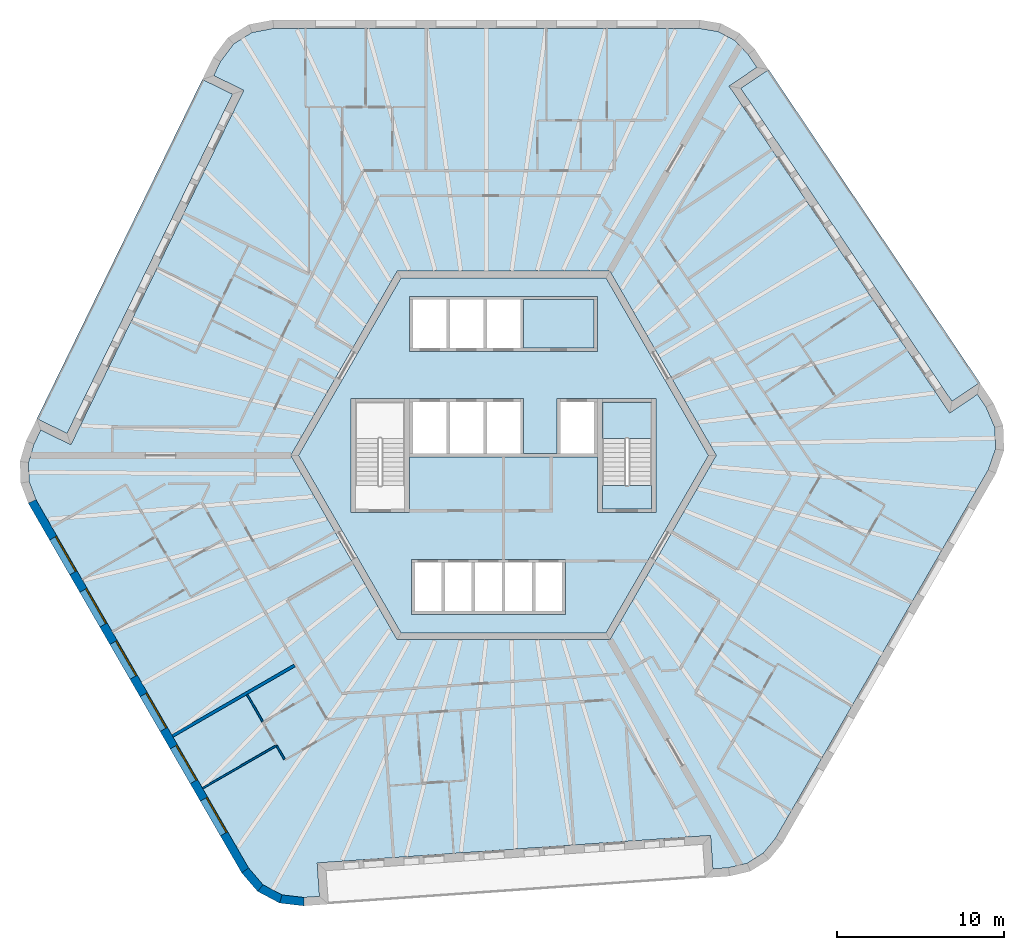
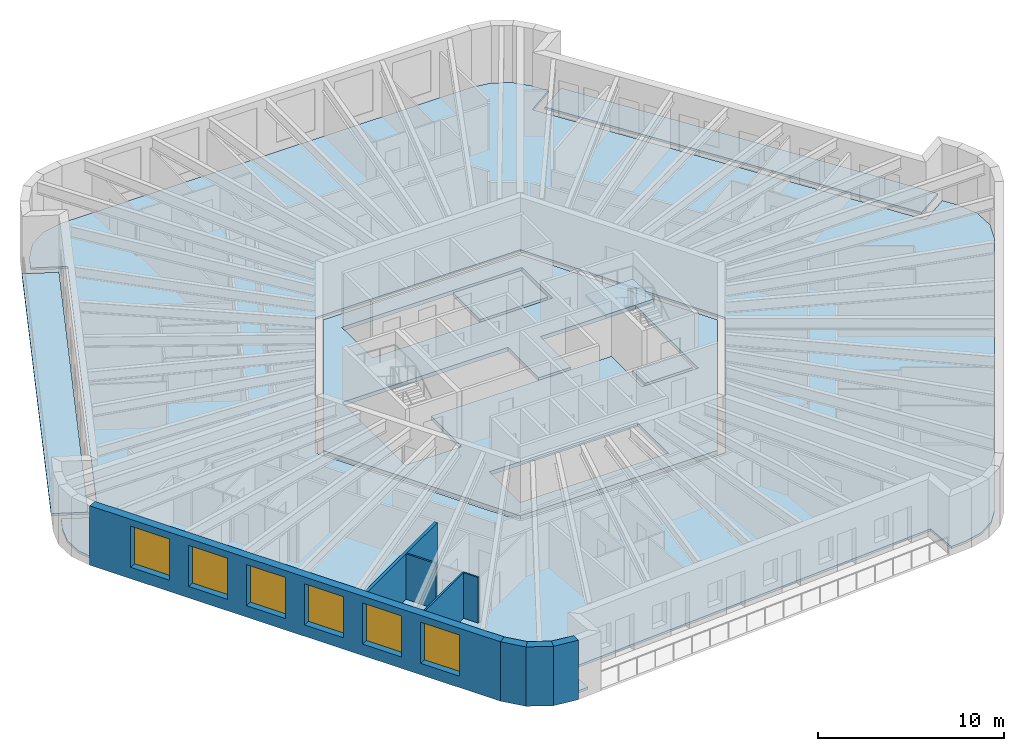
# One storey, part 2 of 12: 8 walls, 7 slabs, 6 windows, 6 openings, 1 element without a shape of its own.
"""IFC4 building model written with IfcOpenShell, lengths in metres."""

import ifcopenshell
import ifcopenshell.guid

model = None  # the IFC model being written
_history = None  # IfcOwnerHistory: only IFC2X3 demands one
_inside = {}  # id of a spatial element -> (the spatial element, [elements in it])
_under = {}  # id of a project, library or spatial element -> (it, [spatial elements below it])
_declared = {}  # id of a project -> (the project, [libraries it declares])
_typed = {}  # id of a type object -> (the type object, [elements of that type])
_made_of = {}  # id of a material, layer set ... -> (it, [elements and type objects made of it])


def new_model(schema):
    """Start an empty IFC model of exactly this schema.

    Asked for "IFC4X3", IfcOpenShell would pick the latest addendum, in which some entities
    have other attributes; the version numbers below select the first issue.
    IFC2X3 requires an IfcOwnerHistory on every rooted entity: one is made here for all.
    """
    global model, _history
    if schema == "IFC4X3":
        model = ifcopenshell.file(schema_version=(4, 3, 0, 0))
    else:
        model = ifcopenshell.file(schema=schema)
    _inside.clear()
    _under.clear()
    _declared.clear()
    _typed.clear()
    _made_of.clear()
    _history = None
    if model.schema == "IFC2X3":
        org = make("IfcOrganization", Name="unknown")
        user = make(
            "IfcPersonAndOrganization",
            ThePerson=make("IfcPerson", FamilyName="unknown"),
            TheOrganization=org,
        )
        app = make(
            "IfcApplication",
            ApplicationDeveloper=org,
            Version="unknown",
            ApplicationFullName="unknown",
            ApplicationIdentifier="unknown",
        )
        _history = make(
            "IfcOwnerHistory",
            OwningUser=user,
            OwningApplication=app,
            ChangeAction="ADDED",
            CreationDate=0,
        )
    return model


def make(cls, **values):
    """One entity of the class cls with the attributes given. An attribute that is None is left unset."""
    return model.create_entity(
        cls, **{name: value for name, value in values.items() if value is not None}
    )


def rooted(cls, **values):
    """An entity with a GlobalId (a new one), such as an element, a storey or a relation."""
    return make(cls, GlobalId=ifcopenshell.guid.new(), OwnerHistory=_history, **values)


def si_unit(unit_type, name, prefix=None):
    """IfcSIUnit, for example si_unit("LENGTHUNIT", "METRE", prefix="MILLI")."""
    return make("IfcSIUnit", UnitType=unit_type, Prefix=prefix, Name=name)


def assignment(units):
    """IfcUnitAssignment: the units of a project."""
    return None if units is None else make("IfcUnitAssignment", Units=units)


def point(xyz):
    """IfcCartesianPoint."""
    return None if xyz is None else make("IfcCartesianPoint", Coordinates=xyz)


def direction(xyz):
    """IfcDirection."""
    return None if xyz is None else make("IfcDirection", DirectionRatios=xyz)


def frame(location, z_axis=None, x_axis=None):
    """IfcAxis2Placement3D, a coordinate frame: its origin and axes. An axis left out is left unset."""
    return make(
        "IfcAxis2Placement3D",
        Location=point(location),
        Axis=direction(z_axis),
        RefDirection=direction(x_axis),
    )


def frame_2d(location, x_axis=None):
    """IfcAxis2Placement2D, a coordinate frame in the plane: its origin and x axis."""
    return make(
        "IfcAxis2Placement2D", Location=point(location), RefDirection=direction(x_axis)
    )


def origin():
    """The frame at (0, 0, 0) with its axes left unset."""
    return frame((0.0, 0.0, 0.0))


def place(relative_to, where):
    """IfcLocalPlacement: puts the frame where relative to a parent placement (None: the world)."""
    return make(
        "IfcLocalPlacement", PlacementRelTo=relative_to, RelativePlacement=where
    )


def context(
    kind, dimensions, precision=None, world=None, true_north=None, identifier=None
):
    """IfcGeometricRepresentationContext, for example the 3D "Model" context."""
    return make(
        "IfcGeometricRepresentationContext",
        ContextIdentifier=identifier,
        ContextType=kind,
        CoordinateSpaceDimension=dimensions,
        Precision=precision,
        WorldCoordinateSystem=world,
        TrueNorth=true_north,
    )


def subcontext(parent, identifier, kind, view, scale=None):
    """IfcGeometricRepresentationSubContext, for example "Body" below "Model"."""
    return make(
        "IfcGeometricRepresentationSubContext",
        ContextIdentifier=identifier,
        ContextType=kind,
        ParentContext=parent,
        TargetScale=scale,
        TargetView=view,
    )


def project(units=None, contexts=None):
    """IfcProject with its units and contexts."""
    return rooted(
        "IfcProject",
        Name="project",
        RepresentationContexts=contexts,
        UnitsInContext=assignment(units),
    )


def spatial(cls, under=None, at=None, **own):
    """A site, building, storey or space (cls), placed at a placement, below another one or the project."""
    s = rooted(cls, ObjectPlacement=at, **own)
    if under is not None:
        _under.setdefault(under.id(), (under, []))[1].append(s)
    return s


def polyline(points):
    """IfcPolyline through the points."""
    return make("IfcPolyline", Points=[point(p) for p in points])


def profile(cls, at=None, kind="AREA", **sizes):
    """A parametric profile (cls). Its sizes go by their IFC names, for example OverallWidth=200.0."""
    return make(cls, ProfileType=kind, Position=at, **sizes)


def rectangle(**sizes):
    """IfcRectangleProfileDef."""
    return profile("IfcRectangleProfileDef", **sizes)


def outline(outer, holes=None, kind="AREA"):
    """IfcArbitraryClosedProfileDef: a profile drawn as a closed curve; with holes, ...WithVoids."""
    if holes is None:
        return make("IfcArbitraryClosedProfileDef", ProfileType=kind, OuterCurve=outer)
    return make(
        "IfcArbitraryProfileDefWithVoids",
        ProfileType=kind,
        OuterCurve=outer,
        InnerCurves=holes,
    )


def extrude(swept, where, along, depth):
    """IfcExtrudedAreaSolid: the profile swept, set in the frame where, extruded along a direction by depth."""
    return make(
        "IfcExtrudedAreaSolid",
        SweptArea=swept,
        Position=where,
        ExtrudedDirection=direction(along),
        Depth=depth,
    )


def shape(context_of_items, identifier, shape_type, items):
    """IfcShapeRepresentation: the items that make up one representation, for example the "Body"."""
    return make(
        "IfcShapeRepresentation",
        ContextOfItems=context_of_items,
        RepresentationIdentifier=identifier,
        RepresentationType=shape_type,
        Items=items,
    )


def material(Name=None, Category=None):
    """IfcMaterial."""
    return make("IfcMaterial", Name=Name, Category=Category)


def layer(
    of_material, thickness, ventilated=None, Name=None, Category=None, Priority=None
):
    """IfcMaterialLayer: one layer of a wall or slab, of a material (None: an air gap)."""
    return make(
        "IfcMaterialLayer",
        Material=of_material,
        LayerThickness=thickness,
        IsVentilated=ventilated,
        Name=Name,
        Category=Category,
        Priority=Priority,
    )


def layer_set(layers, Name=None):
    """IfcMaterialLayerSet."""
    return make("IfcMaterialLayerSet", MaterialLayers=layers, LayerSetName=Name)


def made_of(thing, what):
    """Note that an element or type object is made of a material, layer set ...; save() writes the relation."""
    if what is not None:
        _made_of.setdefault(what.id(), (what, []))[1].append(thing)
    return thing


def type_object(cls, material=None, **own):
    """A type object (cls), such as IfcWallType, which elements share."""
    return made_of(rooted(cls, **own), material)


def element(
    cls,
    number,
    at=None,
    inside=None,
    cuts=None,
    type_object=None,
    material=None,
    context=None,
    identifier="Body",
    shape_type=None,
    held_by="IfcProductDefinitionShape",
    body=None,
    shapes=None,
    **own,
):
    """One element of the class cls, such as IfcWall. Its Tag is "e" and its number.

    at: its placement. inside: the storey or other place that contains it. cuts: it is an
    opening in that element (IfcRelVoidsElement). A single representation is given by context,
    identifier, shape_type and body (its items); several are given by shapes. held_by: the class
    of the entity that holds the representations. save() writes the other relations.
    """
    e = rooted(cls, Tag="e%d" % number, ObjectPlacement=at, **own)
    if body is not None:
        shapes = [shape(context, identifier, shape_type, body)]
    if shapes is not None:
        e.Representation = make(held_by, Representations=shapes)
    if inside is not None:
        _inside.setdefault(inside.id(), (inside, []))[1].append(e)
    if cuts is not None:
        rooted(
            "IfcRelVoidsElement", RelatingBuildingElement=cuts, RelatedOpeningElement=e
        )
    if type_object is not None:
        _typed.setdefault(type_object.id(), (type_object, []))[1].append(e)
    return made_of(e, material)


def fill(opening, filler):
    """IfcRelFillsElement: the door or window that sits in an opening."""
    return rooted(
        "IfcRelFillsElement",
        RelatingOpeningElement=opening,
        RelatedBuildingElement=filler,
    )


def aggregate(whole, parts):
    """IfcRelAggregates: a whole, such as a stair, and the parts it consists of."""
    return rooted("IfcRelAggregates", RelatingObject=whole, RelatedObjects=parts)


def save(model, path):
    """Write the relations noted so far, then the file.

    IfcRelAggregates (storeys below a building ...), IfcRelContainedInSpatialStructure (elements
    in a storey), IfcRelDefinesByType, IfcRelAssociatesMaterial and IfcRelDeclares: one each for
    every whole, place, type object, material and project.
    """
    for whole, parts in _under.values():
        aggregate(whole, parts)
    for where, things in _inside.values():
        rooted(
            "IfcRelContainedInSpatialStructure",
            RelatedElements=things,
            RelatingStructure=where,
        )
    for kind, things in _typed.values():
        rooted("IfcRelDefinesByType", RelatedObjects=things, RelatingType=kind)
    for what, things in _made_of.values():
        rooted("IfcRelAssociatesMaterial", RelatedObjects=things, RelatingMaterial=what)
    for by, libraries in _declared.values():
        rooted("IfcRelDeclares", RelatingContext=by, RelatedDefinitions=libraries)
    model.write(path)


model = new_model("IFC4")

# Units and contexts
model_context = context("Model", 3, precision=1e-05, world=origin(), true_north=direction((0.0, 1.0)))
body_context = subcontext(model_context, "Body", "Model", "MODEL_VIEW")
ifc_project = project(units=[si_unit("LENGTHUNIT", "METRE"), si_unit("AREAUNIT", "SQUARE_METRE"), si_unit("VOLUMEUNIT", "CUBIC_METRE"), si_unit("PLANEANGLEUNIT", "RADIAN"), si_unit("MASSUNIT", "GRAM", prefix="KILO")], contexts=[model_context])

# Site, building, storey
site_placement = place(None, origin())
site = spatial("IfcSite", under=ifc_project, at=site_placement, CompositionType="ELEMENT")
building_placement = place(site_placement, origin())
building = spatial("IfcBuilding", under=site, at=building_placement, Name="Tarnside Tower", CompositionType="ELEMENT")
storey_placement = place(building_placement, frame((0.0, 0.0, 306.89990234375)))
storey = spatial("IfcBuildingStorey", under=building, at=storey_placement, Name="L74", CompositionType="ELEMENT", Elevation=306.89990234375)

# Slabs
ifc_material_1 = material(Name="Concrete C35/45", Category="concrete")
ifc_layer_1 = layer(ifc_material_1, 0.14990234375)
ifc_layer_set_1 = layer_set([ifc_layer_1], Name="Composite floor slab 150")
slab_type_1 = type_object("IfcSlabType", Name="Composite floor slab 150", PredefinedType="FLOOR", material=ifc_layer_set_1)
slab_1_placement = place(storey_placement, frame((0.0, 0.0, -0.14990234375)))
element("IfcSlab", 1, at=slab_1_placement, inside=storey, type_object=slab_type_1, Name="Floor slab L74", PredefinedType="FLOOR", context=body_context, shape_type="SweptSolid", body=[
    extrude(outline(polyline([(12.81689453125, 25.312744140625), (13.818115234375, 24.7802734375), (14.610595703125, 23.940185546875), (15.130615234375, 23.169677734375), (13.472412109375, 22.05126953125), (26.638427734375, 2.53173828125), (28.29638671875, 3.650146484375), (28.814697265625, 2.8818359375), (29.336669921875, 1.671875), (29.3818359375, 0.378662109375), (28.945556640625, -0.864990234375), (16.2451171875, -22.86279296875), (15.51318359375, -23.756103515625), (14.55126953125, -24.35693359375), (13.427490234375, -24.623291015625), (12.500244140625, -24.688232421875), (12.360595703125, -22.693115234375), (-11.126708984375, -24.33544921875), (-10.9873046875, -26.33056640625), (-11.91162109375, -26.395263671875), (-13.220458984375, -26.2421875), (-14.363037109375, -25.634765625), (-15.2216796875, -24.635009765625), (-27.922119140625, -2.63720703125), (-28.329833984375, -1.556640625), (-28.369384765625, -0.42333984375), (-28.0380859375, 0.68310546875), (-27.630615234375, 1.5185546875), (-25.8330078125, 0.641845703125), (-15.51171875, 21.8037109375), (-17.309326171875, 22.680419921875), (-16.903076171875, 23.51318359375), (-16.1162109375, 24.5703125), (-15.018798828125, 25.256103515625), (-13.723876953125, 25.5), (11.67724609375, 25.5), (12.81689453125, 25.312744140625)]), holes=[polyline([(-12.70166015625, 0.0), (-6.350830078125, -11.0), (6.350830078125, -11.0), (12.70166015625, 0.0), (6.350830078125, 11.0), (-6.350830078125, 11.0), (-12.70166015625, 0.0)])]), origin(), (0.0, 0.0, 1.0), 0.14990234375),
])
ifc_material_2 = material(Name="Concrete C40/50", Category="concrete")
ifc_layer_2 = layer(ifc_material_2, 0.25)
ifc_layer_set_2 = layer_set([ifc_layer_2], Name="Core slab C40/50")
slab_type_2 = type_object("IfcSlabType", Name="Core slab C40/50", PredefinedType="FLOOR", material=ifc_layer_set_2)
slab_2_placement = place(storey_placement, frame((0.0, 0.0, -0.25)))
element("IfcSlab", 2, at=slab_2_placement, inside=storey, type_object=slab_type_2, Name="L74 core floor slab 1", PredefinedType="FLOOR", context=body_context, shape_type="SweptSolid", body=[
    extrude(outline(polyline([(6.119873046875, 10.60009765625), (12.23974609375, 0.0), (6.119873046875, -10.60009765625), (-6.119873046875, -10.60009765625), (-12.23974609375, 0.0), (-6.119873046875, 10.60009765625), (6.119873046875, 10.60009765625)]), holes=[polyline([(-5.5, -9.5), (3.699951171875, -9.5), (3.699951171875, -9.300048828125), (3.699951171875, -6.39990234375), (3.699951171875, -6.199951171875), (-5.5, -6.199951171875), (-5.5, -6.39990234375), (-5.5, -9.300048828125), (-5.5, -9.5)]), polyline([(-5.60009765625, -3.39990234375), (-5.60009765625, -0.10009765625), (5.60009765625, -0.10009765625), (5.60009765625, -3.39990234375), (5.89990234375, -3.39990234375), (8.85009765625, -3.39990234375), (9.10009765625, -3.39990234375), (9.10009765625, 3.39990234375), (8.85009765625, 3.39990234375), (5.89990234375, 3.39990234375), (5.60009765625, 3.39990234375), (3.39990234375, 3.39990234375), (3.199951171875, 3.39990234375), (3.199951171875, 0.10009765625), (1.199951171875, 0.10009765625), (1.199951171875, 3.39990234375), (1.0, 3.39990234375), (-5.60009765625, 3.39990234375), (-5.89990234375, 3.39990234375), (-8.85009765625, 3.39990234375), (-9.10009765625, 3.39990234375), (-9.10009765625, -3.39990234375), (-8.85009765625, -3.39990234375), (-5.89990234375, -3.39990234375), (-5.60009765625, -3.39990234375)]), polyline([(-5.60009765625, 6.199951171875), (5.60009765625, 6.199951171875), (5.60009765625, 6.39990234375), (5.60009765625, 9.300048828125), (5.60009765625, 9.5), (-5.60009765625, 9.5), (-5.60009765625, 9.300048828125), (-5.60009765625, 6.39990234375), (-5.60009765625, 6.199951171875)])]), origin(), (0.0, 0.0, 1.0), 0.25),
])
slab_3_placement = place(storey_placement, frame((0.0, 0.0, -0.25)))
element("IfcSlab", 3, at=slab_3_placement, inside=storey, type_object=slab_type_2, Name="L74 core floor slab 3", PredefinedType="FLOOR", context=body_context, shape_type="SweptSolid", body=[
    extrude(outline(polyline([(5.89990234375, -1.800048828125), (8.85009765625, -1.800048828125), (8.85009765625, -3.199951171875), (5.89990234375, -3.199951171875), (5.89990234375, -1.800048828125)])), origin(), (0.0, 0.0, 1.0), 0.25),
])
slab_4_placement = place(storey_placement, frame((0.0, 0.0, -0.25)))
element("IfcSlab", 4, at=slab_4_placement, inside=storey, type_object=slab_type_2, Name="L74 core floor slab 4", PredefinedType="FLOOR", context=body_context, shape_type="SweptSolid", body=[
    extrude(outline(polyline([(5.39990234375, 6.39990234375), (1.199951171875, 6.39990234375), (1.199951171875, 9.300048828125), (5.39990234375, 9.300048828125), (5.39990234375, 6.39990234375)])), origin(), (0.0, 0.0, 1.0), 0.25),
])
ifc_material_3 = material(Name="Timber decking", Category="wood")
ifc_layer_3 = layer(ifc_material_3, 0.0400390625)
ifc_material_4 = material(Name="Concrete C60/75 precast", Category="concrete")
ifc_layer_4 = layer(ifc_material_4, 0.110107421875)
ifc_layer_set_3 = layer_set([ifc_layer_3, ifc_layer_4], Name="Loggia deck 150")
slab_type_3 = type_object("IfcSlabType", Name="Loggia deck 150", PredefinedType="FLOOR", material=ifc_layer_set_3)
slab_5_placement = place(storey_placement, frame((0.0, 0.0, -0.14990234375)))
element("IfcSlab", 5, at=slab_5_placement, inside=storey, type_object=slab_type_3, Name="Loggia deck L74 F2", PredefinedType="FLOOR", context=body_context, shape_type="SweptSolid", body=[
    extrude(outline(polyline([(-16.180419921875, 21.573486328125), (-26.063232421875, 1.310302734375), (-27.86083984375, 2.187255859375), (-17.97802734375, 22.4501953125), (-16.180419921875, 21.573486328125)])), origin(), (0.0, 0.0, 1.0), 0.14990234375),
])
slab_6_placement = place(storey_placement, frame((0.0, 0.0, -0.14990234375)))
element("IfcSlab", 6, at=slab_6_placement, inside=storey, type_object=slab_type_3, Name="Loggia deck L74 F6", PredefinedType="FLOOR", context=body_context, shape_type="SweptSolid", body=[
    extrude(outline(polyline([(26.7734375, 3.225830078125), (14.16650390625, 21.916259765625), (15.82470703125, 23.03466796875), (28.431396484375, 4.34423828125), (26.7734375, 3.225830078125)])), origin(), (0.0, 0.0, 1.0), 0.14990234375),
])

# Stair, slab
stair_type = type_object("IfcStairType", Name="Exit stair 1400 clear", PredefinedType="HALF_TURN_STAIR", material=ifc_material_2)
stair_placement = place(storey_placement, origin())
stair = element("IfcStair", 7, at=stair_placement, inside=storey, type_object=stair_type, Name="L74 Exit stair 1", PredefinedType="HALF_TURN_STAIR")
ifc_layer_5 = layer(ifc_material_2, 0.199951171875)
ifc_layer_set_4 = layer_set([ifc_layer_5], Name="Stair landing 200 C40/50")
slab_type_4 = type_object("IfcSlabType", Name="Stair landing 200 C40/50", PredefinedType="LANDING", material=ifc_layer_set_4)
slab_7_placement = place(storey_placement, frame((0.0, 0.0, 1.75)))
slab_7 = element("IfcSlab", 8, at=slab_7_placement, type_object=slab_type_4, Name="ST1 landing 1", PredefinedType="LANDING", context=body_context, shape_type="SweptSolid", body=[
    extrude(outline(polyline([(8.85009765625, 1.0), (8.85009765625, 3.199951171875), (5.89990234375, 3.199951171875), (5.89990234375, 1.0), (8.85009765625, 1.0)])), origin(), (0.0, 0.0, 1.0), 0.2001953125),
])
aggregate(stair, [slab_7])

# Walls
ifc_material_5 = material(Name="Gypsum board partition on steel studs", Category="steel")
ifc_layer_6 = layer(ifc_material_5, 0.10009765625)
ifc_layer_set_5 = layer_set([ifc_layer_6], Name="Bathroom wall 100")
wall_type_1 = type_object("IfcWallType", Name="Bathroom wall 100", PredefinedType="PARTITIONING", material=ifc_layer_set_5)
wall_1_placement = place(storey_placement, frame((-15.3095703125, -14.283203125, 0.0), z_axis=(0.0, 0.0, 1.0), x_axis=(0.500059143742, -0.865991254436, 0.0)))
element("IfcWall", 9, at=wall_1_placement, inside=storey, type_object=wall_type_1, Name="Bathroom wall 24132", PredefinedType="PARTITIONING", context=body_context, shape_type="SweptSolid", body=[
    extrude(rectangle(XDim=1.862060546875, YDim=0.10009765625, at=frame_2d((0.93115234375, 0.0))), origin(), (0.0, 0.0, 1.0), 2.98779296875),
])
ifc_layer_7 = layer(ifc_material_5, 0.179931640625)
ifc_layer_set_6 = layer_set([ifc_layer_7], Name="Demising wall 180 EI 60")
wall_type_2 = type_object("IfcWallType", Name="Demising wall 180 EI 60", PredefinedType="PARTITIONING", material=ifc_layer_set_6)
wall_2_placement = place(storey_placement, frame((-19.771240234375, -16.755126953125, 0.0), z_axis=(0.0, 0.0, 1.0), x_axis=(0.866026819143, 0.499997548519, 0.0)))
element("IfcWall", 10, at=wall_2_placement, inside=storey, type_object=wall_type_2, Name="Demising wall 24116", PredefinedType="PARTITIONING", context=body_context, shape_type="SweptSolid", body=[
    extrude(rectangle(XDim=8.4248046875, YDim=0.179931640625, at=frame_2d((4.21240234375, 0.0))), origin(), (0.0, 0.0, 1.0), 2.98779296875),
])
ifc_layer_8 = layer(ifc_material_5, 0.10009765625)
ifc_layer_set_7 = layer_set([ifc_layer_8], Name="Partition 100")
wall_type_3 = type_object("IfcWallType", Name="Partition 100", PredefinedType="PARTITIONING", material=ifc_layer_set_7)
wall_3_placement = place(storey_placement, frame((-13.07958984375, -18.1455078125, 0.0), z_axis=(0.0, 0.0, 1.0), x_axis=(-0.49986306505, 0.866104448781, 0.0)))
element("IfcWall", 11, at=wall_3_placement, inside=storey, type_object=wall_type_3, Name="Partition wall 24126", PredefinedType="PARTITIONING", context=body_context, shape_type="SweptSolid", body=[
    extrude(rectangle(XDim=0.951904296875, YDim=0.10009765625, at=frame_2d((0.47607421875, 0.0))), origin(), (0.0, 0.0, 1.0), 2.98779296875),
])
wall_4_placement = place(storey_placement, frame((-13.597900390625, -17.347900390625, 0.0), z_axis=(0.0, 0.0, 1.0), x_axis=(-0.866026981659, -0.499997267031, 0.0)))
element("IfcWall", 12, at=wall_4_placement, inside=storey, type_object=wall_type_3, Name="Partition wall 24127", PredefinedType="PARTITIONING", context=body_context, shape_type="SweptSolid", body=[
    extrude(rectangle(XDim=5.0498046875, YDim=0.10009765625, at=frame_2d((2.52490234375, 0.0))), origin(), (0.0, 0.0, 1.0), 2.98779296875),
])

# Wall, openings, windows
ifc_material_6 = material(Name="Facing brick", Category="masonry")
ifc_layer_9 = layer(ifc_material_6, 0.10205078125)
ifc_layer_10 = layer(ifc_material_4, 0.298095703125)
ifc_material_7 = material(Name="Mineral wool insulation")
ifc_layer_11 = layer(ifc_material_7, 0.10009765625)
ifc_layer_set_8 = layer_set([ifc_layer_9, ifc_layer_10, ifc_layer_11], Name="Tube wall 500 brick faced")
wall_type_4 = type_object("IfcWallType", Name="Tube wall 500 brick faced", PredefinedType="SOLIDWALL", material=ifc_layer_set_8)
wall_5_placement = place(storey_placement, frame((-28.14892578125, -2.74462890625, -0.14990234375), z_axis=(0.0, 0.0, 1.0), x_axis=(0.500003737743, -0.866023245787, 0.0)))
wall_5 = element("IfcWall", 13, at=wall_5_placement, inside=storey, type_object=wall_type_4, Name="Tube wall L74 F3 flush 12", PredefinedType="SOLIDWALL", context=body_context, shape_type="SweptSolid", body=[
    extrude(outline(polyline([(-0.0205078125, -0.25), (25.468017578125, -0.25), (25.421142578125, 0.25), (0.0205078125, 0.25), (-0.0205078125, -0.25)])), origin(), (0.0, 0.0, 1.0), 3.89990234375),
])
opening_1_placement = place(wall_5_placement, frame((2.5224609375, 0.0, 0.75)))
opening_1 = element("IfcOpeningElement", 14, at=opening_1_placement, cuts=wall_5, Name="Opening WR", PredefinedType="OPENING", context=body_context, shape_type="SweptSolid", body=[
    extrude(rectangle(XDim=2.39990234375, YDim=2.699951171875, at=frame_2d((1.199951171875, 1.35009765625))), frame((0.0, 0.260009765625, 0.0), z_axis=(0.0, -1.0, 0.0), x_axis=(1.0, 0.0, 0.0)), (0.0, 0.0, 1.0), 0.52001953125),
])
opening_2_placement = place(wall_5_placement, frame((6.122314453125, 0.0, 0.75)))
opening_2 = element("IfcOpeningElement", 15, at=opening_2_placement, cuts=wall_5, Name="Opening WR", PredefinedType="OPENING", context=body_context, shape_type="SweptSolid", body=[
    extrude(rectangle(XDim=2.39990234375, YDim=2.699951171875, at=frame_2d((1.199951171875, 1.35009765625))), frame((0.0, 0.260009765625, 0.0), z_axis=(0.0, -1.0, 0.0), x_axis=(1.0, 0.0, 0.0)), (0.0, 0.0, 1.0), 0.52001953125),
])
opening_3_placement = place(wall_5_placement, frame((9.722412109375, 0.0, 0.75)))
opening_3 = element("IfcOpeningElement", 16, at=opening_3_placement, cuts=wall_5, Name="Opening WR", PredefinedType="OPENING", context=body_context, shape_type="SweptSolid", body=[
    extrude(rectangle(XDim=2.39990234375, YDim=2.699951171875, at=frame_2d((1.199951171875, 1.35009765625))), frame((0.0, 0.260009765625, 0.0), z_axis=(0.0, -1.0, 0.0), x_axis=(1.0, 0.0, 0.0)), (0.0, 0.0, 1.0), 0.52001953125),
])
opening_4_placement = place(wall_5_placement, frame((13.322509765625, 0.0, 0.75)))
opening_4 = element("IfcOpeningElement", 17, at=opening_4_placement, cuts=wall_5, Name="Opening WR", PredefinedType="OPENING", context=body_context, shape_type="SweptSolid", body=[
    extrude(rectangle(XDim=2.39990234375, YDim=2.699951171875, at=frame_2d((1.199951171875, 1.35009765625))), frame((0.0, 0.260009765625, 0.0), z_axis=(0.0, -1.0, 0.0), x_axis=(1.0, 0.0, 0.0)), (0.0, 0.0, 1.0), 0.52001953125),
])
opening_5_placement = place(wall_5_placement, frame((16.92236328125, 0.0, 0.75)))
opening_5 = element("IfcOpeningElement", 18, at=opening_5_placement, cuts=wall_5, Name="Opening WR", PredefinedType="OPENING", context=body_context, shape_type="SweptSolid", body=[
    extrude(rectangle(XDim=2.39990234375, YDim=2.699951171875, at=frame_2d((1.199951171875, 1.35009765625))), frame((0.0, 0.260009765625, 0.0), z_axis=(0.0, -1.0, 0.0), x_axis=(1.0, 0.0, 0.0)), (0.0, 0.0, 1.0), 0.52001953125),
])
opening_6_placement = place(wall_5_placement, frame((20.5224609375, 0.0, 0.75)))
opening_6 = element("IfcOpeningElement", 19, at=opening_6_placement, cuts=wall_5, Name="Opening WR", PredefinedType="OPENING", context=body_context, shape_type="SweptSolid", body=[
    extrude(rectangle(XDim=2.39990234375, YDim=2.699951171875, at=frame_2d((1.199951171875, 1.35009765625))), frame((0.0, 0.260009765625, 0.0), z_axis=(0.0, -1.0, 0.0), x_axis=(1.0, 0.0, 0.0)), (0.0, 0.0, 1.0), 0.52001953125),
])
ifc_material_8 = material(Name="Aluminium-framed double glazing", Category="aluminium")
window_type = type_object("IfcWindowType", Name="Residence window 2400 x 2700", PartitioningType="DOUBLE_PANEL_VERTICAL", PredefinedType="WINDOW", material=ifc_material_8)
window_1_placement = place(opening_1_placement, frame((0.0, 0.179931640625, 0.0)))
window_1 = element("IfcWindow", 20, at=window_1_placement, inside=storey, type_object=window_type, Name="E.WN.L74.F3.00", OverallHeight=2.699951171875, OverallWidth=2.39990234375, PartitioningType="DOUBLE_PANEL_VERTICAL", PredefinedType="WINDOW", context=body_context, shape_type="SweptSolid", body=[
    extrude(rectangle(XDim=2.39990234375, YDim=2.699951171875, at=frame_2d((1.199951171875, 1.35009765625))), frame((0.0, 0.030029296875, 0.0), z_axis=(0.0, -1.0, 0.0), x_axis=(1.0, 0.0, 0.0)), (0.0, 0.0, 1.0), 0.06005859375),
])
fill(opening_1, window_1)
window_2_placement = place(opening_2_placement, frame((0.0, 0.179931640625, 0.0)))
window_2 = element("IfcWindow", 21, at=window_2_placement, inside=storey, type_object=window_type, Name="E.WN.L74.F3.01", OverallHeight=2.699951171875, OverallWidth=2.39990234375, PartitioningType="DOUBLE_PANEL_VERTICAL", PredefinedType="WINDOW", context=body_context, shape_type="SweptSolid", body=[
    extrude(rectangle(XDim=2.39990234375, YDim=2.699951171875, at=frame_2d((1.199951171875, 1.35009765625))), frame((0.0, 0.030029296875, 0.0), z_axis=(0.0, -1.0, 0.0), x_axis=(1.0, 0.0, 0.0)), (0.0, 0.0, 1.0), 0.06005859375),
])
fill(opening_2, window_2)
window_3_placement = place(opening_3_placement, frame((0.0, 0.179931640625, 0.0)))
window_3 = element("IfcWindow", 22, at=window_3_placement, inside=storey, type_object=window_type, Name="E.WN.L74.F3.02", OverallHeight=2.699951171875, OverallWidth=2.39990234375, PartitioningType="DOUBLE_PANEL_VERTICAL", PredefinedType="WINDOW", context=body_context, shape_type="SweptSolid", body=[
    extrude(rectangle(XDim=2.39990234375, YDim=2.699951171875, at=frame_2d((1.199951171875, 1.35009765625))), frame((0.0, 0.030029296875, 0.0), z_axis=(0.0, -1.0, 0.0), x_axis=(1.0, 0.0, 0.0)), (0.0, 0.0, 1.0), 0.06005859375),
])
fill(opening_3, window_3)
window_4_placement = place(opening_4_placement, frame((0.0, 0.179931640625, 0.0)))
window_4 = element("IfcWindow", 23, at=window_4_placement, inside=storey, type_object=window_type, Name="E.WN.L74.F3.03", OverallHeight=2.699951171875, OverallWidth=2.39990234375, PartitioningType="DOUBLE_PANEL_VERTICAL", PredefinedType="WINDOW", context=body_context, shape_type="SweptSolid", body=[
    extrude(rectangle(XDim=2.39990234375, YDim=2.699951171875, at=frame_2d((1.199951171875, 1.35009765625))), frame((0.0, 0.030029296875, 0.0), z_axis=(0.0, -1.0, 0.0), x_axis=(1.0, 0.0, 0.0)), (0.0, 0.0, 1.0), 0.06005859375),
])
fill(opening_4, window_4)
window_5_placement = place(opening_5_placement, frame((0.0, 0.179931640625, 0.0)))
window_5 = element("IfcWindow", 24, at=window_5_placement, inside=storey, type_object=window_type, Name="E.WN.L74.F3.04", OverallHeight=2.699951171875, OverallWidth=2.39990234375, PartitioningType="DOUBLE_PANEL_VERTICAL", PredefinedType="WINDOW", context=body_context, shape_type="SweptSolid", body=[
    extrude(rectangle(XDim=2.39990234375, YDim=2.699951171875, at=frame_2d((1.199951171875, 1.35009765625))), frame((0.0, 0.030029296875, 0.0), z_axis=(0.0, -1.0, 0.0), x_axis=(1.0, 0.0, 0.0)), (0.0, 0.0, 1.0), 0.06005859375),
])
fill(opening_5, window_5)
window_6_placement = place(opening_6_placement, frame((0.0, 0.179931640625, 0.0)))
window_6 = element("IfcWindow", 25, at=window_6_placement, inside=storey, type_object=window_type, Name="E.WN.L74.F3.05", OverallHeight=2.699951171875, OverallWidth=2.39990234375, PartitioningType="DOUBLE_PANEL_VERTICAL", PredefinedType="WINDOW", context=body_context, shape_type="SweptSolid", body=[
    extrude(rectangle(XDim=2.39990234375, YDim=2.699951171875, at=frame_2d((1.199951171875, 1.35009765625))), frame((0.0, 0.030029296875, 0.0), z_axis=(0.0, -1.0, 0.0), x_axis=(1.0, 0.0, 0.0)), (0.0, 0.0, 1.0), 0.06005859375),
])
fill(opening_6, window_6)

# Walls
wall_6_placement = place(storey_placement, frame((-15.426513671875, -24.7802734375, -0.14990234375), z_axis=(0.0, 0.0, 1.0), x_axis=(0.651616566281, -0.758548515619, 0.0)))
element("IfcWall", 26, at=wall_6_placement, inside=storey, type_object=wall_type_4, Name="Tube wall L74 F3 chord 13", PredefinedType="SOLIDWALL", context=body_context, shape_type="SweptSolid", body=[
    extrude(outline(polyline([(-0.0234375, -0.25), (1.435302734375, -0.25), (1.341064453125, 0.25), (0.0234375, 0.25), (-0.0234375, -0.25)])), origin(), (0.0, 0.0, 1.0), 3.89990234375),
])
wall_7_placement = place(storey_placement, frame((-14.52197265625, -25.833251953125, -0.14990234375), z_axis=(0.0, 0.0, 1.0), x_axis=(0.882926676147, -0.469510899286, 0.0)))
element("IfcWall", 27, at=wall_7_placement, inside=storey, type_object=wall_type_4, Name="Tube wall L74 F3 chord 14", PredefinedType="SOLIDWALL", context=body_context, shape_type="SweptSolid", body=[
    extrude(outline(polyline([(-0.047119140625, -0.25), (1.435546875, -0.25), (1.34130859375, 0.25), (0.047119140625, 0.25), (-0.047119140625, -0.25)])), origin(), (0.0, 0.0, 1.0), 3.89990234375),
])
wall_8_placement = place(storey_placement, frame((-13.296142578125, -26.485107421875, -0.14990234375), z_axis=(0.0, 0.0, 1.0), x_axis=(0.993239161627, -0.116086036245, 0.0)))
element("IfcWall", 28, at=wall_8_placement, inside=storey, type_object=wall_type_4, Name="Tube wall L74 F3 chord 15", PredefinedType="SOLIDWALL", context=body_context, shape_type="SweptSolid", body=[
    extrude(outline(polyline([(-0.047119140625, -0.25), (1.411376953125, -0.25), (1.364501953125, 0.25), (0.047119140625, 0.25), (-0.047119140625, -0.25)])), origin(), (0.0, 0.0, 1.0), 3.89990234375),
])

save(model, "model.ifc")
